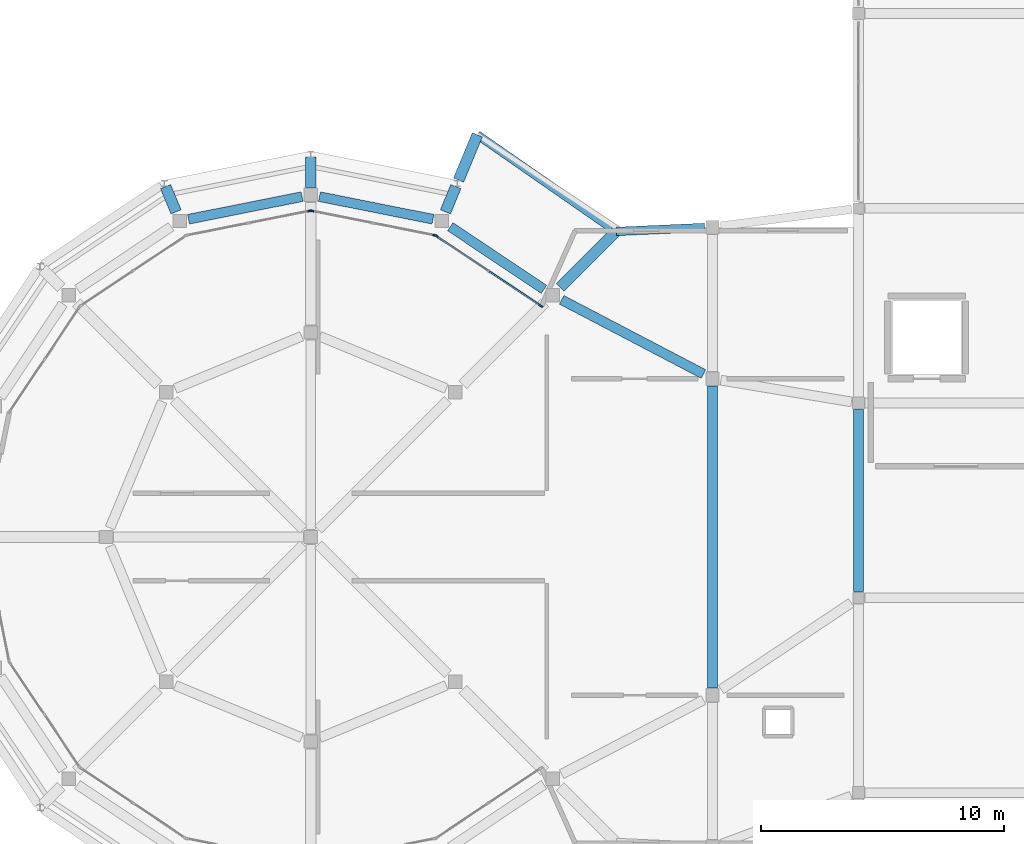
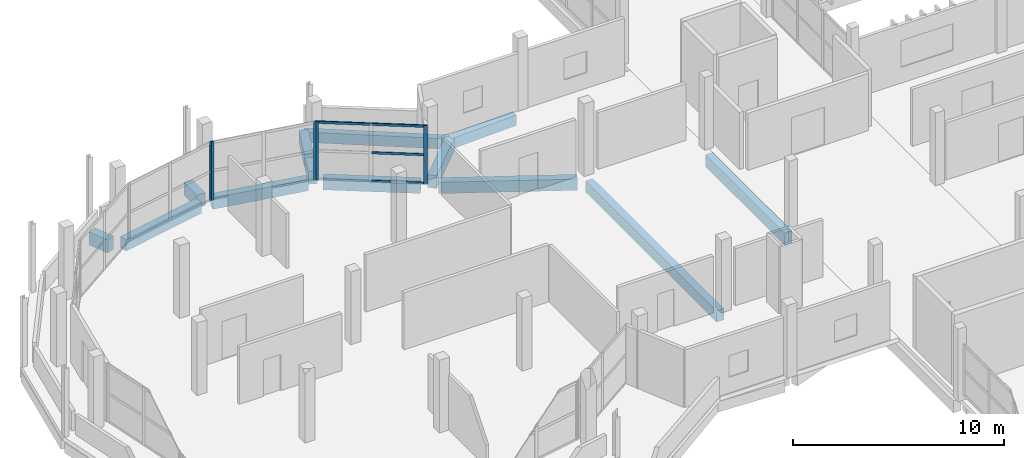
# One storey, part 12 of 63: 13 beams, 9 members, 3 elements without a shape of their own.
"""IFC4 building model written with IfcOpenShell, lengths in metres."""

from ifc_helpers import new_model, si_unit, direction, frame, origin, origin_2d, place, context, subcontext, project, spatial, rectangle, extrude, material, layer, layer_set, material_profile, profile_set, type_object, element, aggregate, save


model = new_model("IFC4")

# Units and contexts
model_context = context("Model", 3, precision=1e-05, world=origin(), true_north=direction((0.0, 1.0)))
body_context = subcontext(model_context, "Body", "Model", "MODEL_VIEW")
ifc_project = project(units=[si_unit("LENGTHUNIT", "METRE"), si_unit("AREAUNIT", "SQUARE_METRE"), si_unit("VOLUMEUNIT", "CUBIC_METRE"), si_unit("PLANEANGLEUNIT", "RADIAN"), si_unit("MASSUNIT", "GRAM", prefix="KILO")], contexts=[model_context])

# Site, building, storey
site_placement = place(None, origin())
site = spatial("IfcSite", under=ifc_project, at=site_placement, CompositionType="ELEMENT")
building_placement = place(site_placement, origin())
building = spatial("IfcBuilding", under=site, at=building_placement, Name="Jelvoka-Kovrelna Polytechnic", CompositionType="ELEMENT")
storey_placement = place(building_placement, frame((0.0, 0.0, 18.0)))
storey = spatial("IfcBuildingStorey", under=building, at=storey_placement, Name="L05", CompositionType="ELEMENT", Elevation=18.0)

# Beams
ifc_material_1 = material(Name="Concrete C40/50", Category="concrete")
ifc_material_profile_1 = material_profile(ifc_material_1, rectangle(XDim=0.39990234375, YDim=0.64990234375, at=origin_2d()), Name="RC 400x650")
ifc_profile_set_1 = profile_set([ifc_material_profile_1], Name="Concrete C40/50")
beam_type_1 = type_object("IfcBeamType", Name="Beam_RC_400x650", PredefinedType="BEAM", material=ifc_profile_set_1)
beam_1_placement = place(storey_placement, frame((35.07666015625, 52.67431640625, -0.574951171875), z_axis=(-0.83148081682, 0.555553463908, 0.0), x_axis=(-0.555553463908, -0.83148081682, 0.0)))
element("IfcBeam", 1, at=beam_1_placement, inside=storey, type_object=beam_type_1, Name="L05 beam 2620", PredefinedType="BEAM", context=body_context, shape_type="SweptSolid", body=[
    extrude(rectangle(XDim=0.39990234375, YDim=0.64990234375, at=origin_2d()), origin(), (0.0, 0.0, 1.0), 4.620361328125),
])
for number, where, z_axis, x_axis, name in (
    (2, (30.521484375, 55.55126953125, -0.574951171875), (-0.98079325321, 0.195050235727, 0.0), (-0.195050235727, -0.98079325321, 0.0), "L05 beam 2621"),
    (3, (25.144775390625, 56.479248046875, -0.574951171875), (-0.98079325321, -0.195050235727, 0.0), (0.195050235727, -0.98079325321, 0.0), "L05 beam 2622"),
):
    element("IfcBeam", number, at=place(storey_placement, frame(where, z_axis=z_axis, x_axis=x_axis)), inside=storey, type_object=beam_type_1, Name=name, PredefinedType="BEAM", context=body_context, shape_type="SweptSolid", body=[
        extrude(rectangle(XDim=0.39990234375, YDim=0.64990234375, at=origin_2d()), origin(), (0.0, 0.0, 1.0), 4.757568359375),
    ])
beam_2_placement = place(storey_placement, frame((35.805908203125, 52.24072265625, -0.574951171875), z_axis=(0.886059011068, -0.463572463488, 0.0), x_axis=(0.463572463488, 0.886059011068, 0.0)))
element("IfcBeam", 4, at=beam_2_placement, inside=storey, type_object=beam_type_1, Name="L05 beam 2661", PredefinedType="BEAM", context=body_context, shape_type="SweptSolid", body=[
    extrude(rectangle(XDim=0.39990234375, YDim=0.64990234375, at=origin_2d()), origin(), (0.0, 0.0, 1.0), 6.572021484375),
])
beam_3_placement = place(storey_placement, frame((42.0, 36.304931640625, -0.574951171875), z_axis=(0.0, 1.0, 0.0), x_axis=(-1.0, 0.0, 0.0)))
element("IfcBeam", 5, at=beam_3_placement, inside=storey, type_object=beam_type_1, Name="L05 beam 2666", PredefinedType="BEAM", context=body_context, shape_type="SweptSolid", body=[
    extrude(rectangle(XDim=0.39990234375, YDim=0.64990234375, at=origin_2d()), origin(), (0.0, 0.0, 1.0), 12.39013671875),
])
ifc_material_2 = material(Name="Concrete C40/50", Category="concrete")
ifc_material_profile_2 = material_profile(ifc_material_2, rectangle(XDim=0.39990234375, YDim=0.699951171875, at=origin_2d()), Name="RC 400x700")
ifc_profile_set_2 = profile_set([ifc_material_profile_2], Name="Concrete C40/50")
beam_type_2 = type_object("IfcBeamType", Name="Beam_RC_400x700", PredefinedType="BEAM", material=ifc_profile_set_2)
beam_4_placement = place(storey_placement, frame((48.0, 40.2548828125, -0.60009765625), z_axis=(0.0, 1.0, 0.0), x_axis=(-1.0, 0.0, 0.0)))
element("IfcBeam", 6, at=beam_4_placement, inside=storey, type_object=beam_type_2, Name="L05 beam 1599", PredefinedType="BEAM", context=body_context, shape_type="SweptSolid", body=[
    extrude(rectangle(XDim=0.39990234375, YDim=0.699951171875, at=origin_2d()), origin(), (0.0, 0.0, 1.0), 7.490234375),
])
ifc_material_3 = material(Name="Concrete C40/50", Category="concrete")
ifc_material_profile_3 = material_profile(ifc_material_3, rectangle(XDim=0.449951171875, YDim=0.75, at=origin_2d()), Name="RC 450x750")
ifc_profile_set_3 = profile_set([ifc_material_profile_3], Name="Concrete C40/50")
beam_type_3 = type_object("IfcBeamType", Name="Beam_RC_450x750", PredefinedType="BEAM", material=ifc_profile_set_3)
beam_5_placement = place(storey_placement, frame((35.745849609375, 52.745849609375, -0.625), z_axis=(0.707106781187, 0.707106781187, 0.0), x_axis=(-0.707106781187, 0.707106781187, 0.0)))
element("IfcBeam", 7, at=beam_5_placement, inside=storey, type_object=beam_type_3, Name="L05 beam 2632", PredefinedType="BEAM", context=body_context, shape_type="SweptSolid", body=[
    extrude(rectangle(XDim=0.449951171875, YDim=0.75, at=origin_2d()), origin(), (0.0, 0.0, 1.0), 3.260009765625),
])
beam_6_placement = place(storey_placement, frame((31.031494140625, 55.854248046875, -0.625), z_axis=(0.382679177001, 0.923881295129, 0.0), x_axis=(-0.923881295129, 0.382679177001, 0.0)))
element("IfcBeam", 8, at=beam_6_placement, inside=storey, type_object=beam_type_3, Name="L05 beam 2633", PredefinedType="BEAM", context=body_context, shape_type="SweptSolid", body=[
    extrude(rectangle(XDim=0.449951171875, YDim=0.75, at=origin_2d()), origin(), (0.0, 0.0, 1.0), 1.11962890625),
])
beam_7_placement = place(storey_placement, frame((31.571533203125, 57.158203125, -0.625), z_axis=(0.38266938507, 0.923885350966, 0.0), x_axis=(-0.923885350966, 0.38266938507, 0.0)))
element("IfcBeam", 9, at=beam_7_placement, inside=storey, type_object=beam_type_3, Name="L05 beam 2634", PredefinedType="BEAM", context=body_context, shape_type="SweptSolid", body=[
    extrude(rectangle(XDim=0.449951171875, YDim=0.75, at=origin_2d()), origin(), (0.0, 0.0, 1.0), 2.01416015625),
])
beam_8_placement = place(storey_placement, frame((25.5, 56.85498046875, -0.625), z_axis=(0.0, 1.0, 0.0), x_axis=(-1.0, 0.0, 0.0)))
element("IfcBeam", 10, at=beam_8_placement, inside=storey, type_object=beam_type_3, Name="L05 beam 2635", PredefinedType="BEAM", context=body_context, shape_type="SweptSolid", body=[
    extrude(rectangle(XDim=0.449951171875, YDim=0.75, at=origin_2d()), origin(), (0.0, 0.0, 1.0), 1.258056640625),
])
beam_9_placement = place(storey_placement, frame((19.968505859375, 55.854248046875, -0.625), z_axis=(-0.382679177001, 0.923881295129, 0.0), x_axis=(-0.923881295129, -0.382679177001, 0.0)))
element("IfcBeam", 11, at=beam_9_placement, inside=storey, type_object=beam_type_3, Name="L05 beam 2636", PredefinedType="BEAM", context=body_context, shape_type="SweptSolid", body=[
    extrude(rectangle(XDim=0.449951171875, YDim=0.75, at=origin_2d()), origin(), (0.0, 0.0, 1.0), 1.11962890625),
])

# Curtain wall, members
ifc_material_4 = material(Name="Anodised aluminium 6063-T6", Category="aluminium")
ifc_layer = layer(ifc_material_4, 0.179931640625)
ifc_layer_set = layer_set([ifc_layer], Name="Anodised aluminium 6063-T6")
curtain_wall_type = type_object("IfcCurtainWallType", Name="CW_Pavilion", PredefinedType="NOTDEFINED", material=ifc_layer_set)
curtain_wall_1_placement = place(storey_placement, origin())
curtain_wall_1 = element("IfcCurtainWall", 12, at=curtain_wall_1_placement, inside=storey, type_object=curtain_wall_type, Name="L05 glazed curtain wall 255", PredefinedType="NOTDEFINED")
ifc_material_5 = material(Name="Anodised aluminium 6063-T6", Category="aluminium")
ifc_material_profile_4 = material_profile(ifc_material_5, rectangle(XDim=0.06494140625, YDim=0.179931640625, at=origin_2d()), Name="ALU 65x180")
ifc_profile_set_4 = profile_set([ifc_material_profile_4], Name="Anodised aluminium 6063-T6")
member_type_1 = type_object("IfcMemberType", Name="Mullion_M-05", PredefinedType="MULLION", material=ifc_profile_set_4)
member_1_placement = place(storey_placement, frame((30.655029296875, 54.862060546875, -0.02490234375), z_axis=(0.0, 0.0, 1.0), x_axis=(0.555582639326, 0.83146132254, 0.0)))
member_1 = element("IfcMember", 13, at=member_1_placement, type_object=member_type_1, Name="CW-05 mullion 1", PredefinedType="MULLION", context=body_context, shape_type="SweptSolid", body=[
    extrude(rectangle(XDim=0.06494140625, YDim=0.179931640625, at=origin_2d()), origin(), (0.0, 0.0, 1.0), 3.400146484375),
])
member_2_placement = place(storey_placement, frame((34.9482421875, 51.9931640625, -0.02490234375), z_axis=(0.0, 0.0, 1.0), x_axis=(0.555582639326, 0.83146132254, 0.0)))
member_2 = element("IfcMember", 14, at=member_2_placement, type_object=member_type_1, Name="CW-05 mullion 3", PredefinedType="MULLION", context=body_context, shape_type="SweptSolid", body=[
    extrude(rectangle(XDim=0.06494140625, YDim=0.179931640625, at=origin_2d()), origin(), (0.0, 0.0, 1.0), 3.400146484375),
])

curtain_wall_2_placement = place(storey_placement, origin())
curtain_wall_2 = element("IfcCurtainWall", 15, at=curtain_wall_2_placement, inside=storey, type_object=curtain_wall_type, Name="L05 glazed curtain wall 256", PredefinedType="NOTDEFINED")
member_3_placement = place(storey_placement, frame((25.531982421875, 55.8935546875, -0.02490234375), z_axis=(0.0, 0.0, 1.0), x_axis=(0.195086160371, 0.980786108197, 0.0)))
member_3 = element("IfcMember", 16, at=member_3_placement, type_object=member_type_1, Name="CW-05 mullion 1", PredefinedType="MULLION", context=body_context, shape_type="SweptSolid", body=[
    extrude(rectangle(XDim=0.06494140625, YDim=0.179931640625, at=origin_2d()), origin(), (0.0, 0.0, 1.0), 3.400146484375),
])
member_4_placement = place(storey_placement, frame((30.59619140625, 54.88623046875, -0.02490234375), z_axis=(0.0, 0.0, 1.0), x_axis=(0.195086160371, 0.980786108197, 0.0)))
member_4 = element("IfcMember", 17, at=member_4_placement, type_object=member_type_1, Name="CW-05 mullion 3", PredefinedType="MULLION", context=body_context, shape_type="SweptSolid", body=[
    extrude(rectangle(XDim=0.06494140625, YDim=0.179931640625, at=origin_2d()), origin(), (0.0, 0.0, 1.0), 3.400146484375),
])
aggregate(curtain_wall_2, [member_3, member_4])

# Curtain wall, member
curtain_wall_3_placement = place(storey_placement, origin())
curtain_wall_3 = element("IfcCurtainWall", 18, at=curtain_wall_3_placement, inside=storey, type_object=curtain_wall_type, Name="L05 glazed curtain wall 257", PredefinedType="NOTDEFINED")
member_5_placement = place(storey_placement, frame((25.468017578125, 55.8935546875, -0.02490234375), z_axis=(0.0, 0.0, 1.0), x_axis=(-0.195086160371, 0.980786108197, 0.0)))
member_5 = element("IfcMember", 19, at=member_5_placement, type_object=member_type_1, Name="CW-05 mullion 3", PredefinedType="MULLION", context=body_context, shape_type="SweptSolid", body=[
    extrude(rectangle(XDim=0.06494140625, YDim=0.179931640625, at=origin_2d()), origin(), (0.0, 0.0, 1.0), 3.400146484375),
])
aggregate(curtain_wall_3, [member_5])

# Beams
ifc_material_6 = material(Name="Concrete C40/50", Category="concrete")
ifc_material_profile_5 = material_profile(ifc_material_6, rectangle(XDim=0.35009765625, YDim=0.60009765625, at=origin_2d()), Name="RC 350x600")
ifc_profile_set_5 = profile_set([ifc_material_profile_5], Name="Concrete C40/50")
beam_type_4 = type_object("IfcBeamType", Name="Spandrel_RC_350x600", PredefinedType="SPANDREL", material=ifc_profile_set_5)
beam_10_placement = place(storey_placement, frame((38.051025390625, 55.051025390625, -0.550048828125), z_axis=(-0.821126306312, 0.570746519116, 0.0), x_axis=(-0.570746519116, -0.821126306312, 0.0)))
element("IfcBeam", 20, at=beam_10_placement, inside=storey, type_object=beam_type_4, Name="L05 beam 2647", PredefinedType="SPANDREL", context=body_context, shape_type="SweptSolid", body=[
    extrude(rectangle(XDim=0.35009765625, YDim=0.60009765625, at=origin_2d()), origin(), (0.0, 0.0, 1.0), 6.952392578125),
])
beam_11_placement = place(storey_placement, frame((38.051025390625, 55.051025390625, -0.550048828125), z_axis=(0.998998382134, 0.04474631263, 0.0), x_axis=(-0.04474631263, 0.998998382134, 0.0)))
element("IfcBeam", 21, at=beam_11_placement, inside=storey, type_object=beam_type_4, Name="L05 beam 2657", PredefinedType="SPANDREL", context=body_context, shape_type="SweptSolid", body=[
    extrude(rectangle(XDim=0.35009765625, YDim=0.60009765625, at=origin_2d()), origin(), (0.0, 0.0, 1.0), 3.6337890625),
])

# Member
ifc_material_7 = material(Name="Anodised aluminium 6063-T6", Category="aluminium")
ifc_material_profile_6 = material_profile(ifc_material_7, rectangle(XDim=0.06494140625, YDim=0.135009765625, at=origin_2d()), Name="ALU 65x135")
ifc_profile_set_6 = profile_set([ifc_material_profile_6], Name="Anodised aluminium 6063-T6")
member_type_2 = type_object("IfcMemberType", Name="Transom_T-05", PredefinedType="USERDEFINED", material=ifc_profile_set_6)
member_6_placement = place(storey_placement, frame((30.68212890625, 54.843994140625, 3.3173828125), z_axis=(0.831422966795, -0.555640036612, 0.0), x_axis=(0.555640036612, 0.831422966795, 0.0)))
member_6 = element("IfcMember", 22, at=member_6_placement, type_object=member_type_2, Name="CW-05 transom 1.3", ObjectType="TRANSOM", PredefinedType="USERDEFINED", context=body_context, shape_type="SweptSolid", body=[
    extrude(rectangle(XDim=0.06494140625, YDim=0.135009765625, at=origin_2d()), origin(), (0.0, 0.0, 1.0), 2.516845703125),
])

member_7_placement = place(storey_placement, frame((32.82861328125, 53.409423828125, 0.032470703125), z_axis=(0.831467779718, -0.555572975667, 0.0), x_axis=(0.555572975667, 0.831467779718, 0.0)))
member_7 = element("IfcMember", 23, at=member_7_placement, type_object=member_type_2, Name="CW-05 transom 2.1", ObjectType="TRANSOM", PredefinedType="USERDEFINED", context=body_context, shape_type="SweptSolid", body=[
    extrude(rectangle(XDim=0.06494140625, YDim=0.135009765625, at=origin_2d()), origin(), (0.0, 0.0, 1.0), 2.5166015625),
])

member_8_placement = place(storey_placement, frame((32.82861328125, 53.409423828125, 1.675048828125), z_axis=(0.831467779718, -0.555572975667, 0.0), x_axis=(0.555572975667, 0.831467779718, 0.0)))
member_8 = element("IfcMember", 24, at=member_8_placement, type_object=member_type_2, Name="CW-05 transom 2.2", ObjectType="TRANSOM", PredefinedType="USERDEFINED", context=body_context, shape_type="SweptSolid", body=[
    extrude(rectangle(XDim=0.06494140625, YDim=0.135009765625, at=origin_2d()), origin(), (0.0, 0.0, 1.0), 2.5166015625),
])

member_9_placement = place(storey_placement, frame((32.82861328125, 53.409423828125, 3.3173828125), z_axis=(0.831467779718, -0.555572975667, 0.0), x_axis=(0.555572975667, 0.831467779718, 0.0)))
member_9 = element("IfcMember", 25, at=member_9_placement, type_object=member_type_2, Name="CW-05 transom 2.3", ObjectType="TRANSOM", PredefinedType="USERDEFINED", context=body_context, shape_type="SweptSolid", body=[
    extrude(rectangle(XDim=0.06494140625, YDim=0.135009765625, at=origin_2d()), origin(), (0.0, 0.0, 1.0), 2.5166015625),
])

aggregate(curtain_wall_1, [member_1, member_2, member_6, member_7, member_8, member_9])

save(model, "model.ifc")
